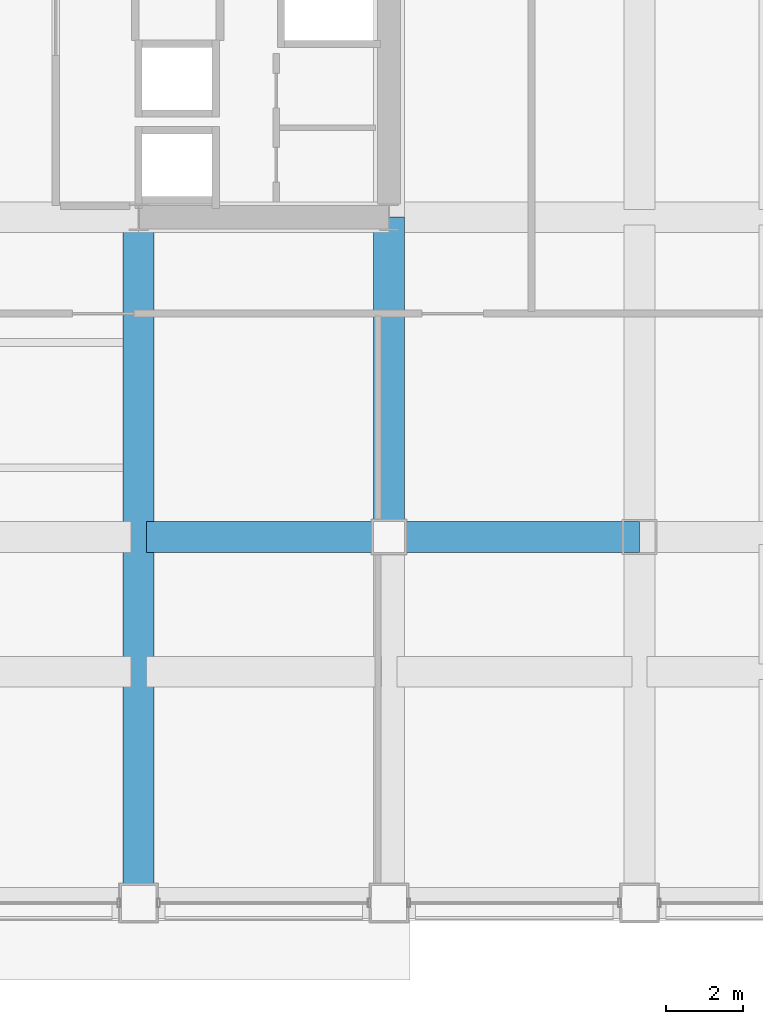
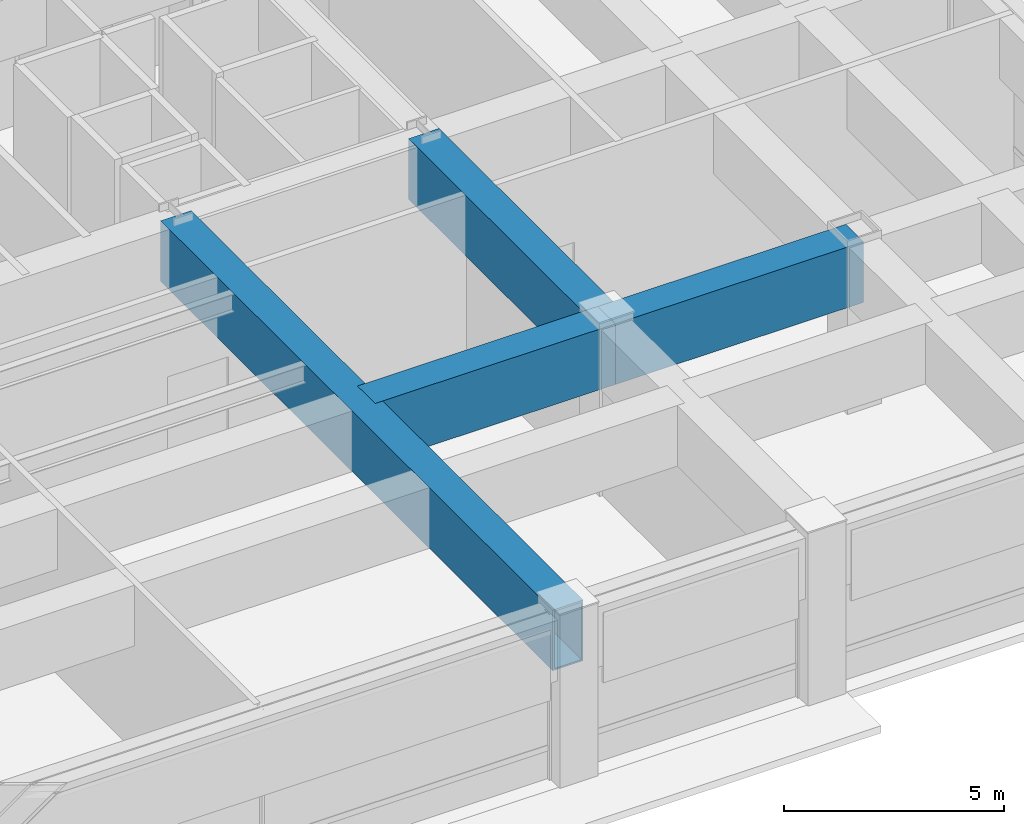
# One storey, part 10 of 30: 4 beams.
"""IFC4 building model written with IfcOpenShell, lengths in metres."""

import ifcopenshell
import ifcopenshell.guid

model = None  # the IFC model being written
_history = None  # IfcOwnerHistory: only IFC2X3 demands one
_inside = {}  # id of a spatial element -> (the spatial element, [elements in it])
_under = {}  # id of a project, library or spatial element -> (it, [spatial elements below it])
_declared = {}  # id of a project -> (the project, [libraries it declares])
_typed = {}  # id of a type object -> (the type object, [elements of that type])
_made_of = {}  # id of a material, layer set ... -> (it, [elements and type objects made of it])


def new_model(schema):
    """Start an empty IFC model of exactly this schema.

    Asked for "IFC4X3", IfcOpenShell would pick the latest addendum, in which some entities
    have other attributes; the version numbers below select the first issue.
    IFC2X3 requires an IfcOwnerHistory on every rooted entity: one is made here for all.
    """
    global model, _history
    if schema == "IFC4X3":
        model = ifcopenshell.file(schema_version=(4, 3, 0, 0))
    else:
        model = ifcopenshell.file(schema=schema)
    _inside.clear()
    _under.clear()
    _declared.clear()
    _typed.clear()
    _made_of.clear()
    _history = None
    if model.schema == "IFC2X3":
        org = make("IfcOrganization", Name="unknown")
        user = make(
            "IfcPersonAndOrganization",
            ThePerson=make("IfcPerson", FamilyName="unknown"),
            TheOrganization=org,
        )
        app = make(
            "IfcApplication",
            ApplicationDeveloper=org,
            Version="unknown",
            ApplicationFullName="unknown",
            ApplicationIdentifier="unknown",
        )
        _history = make(
            "IfcOwnerHistory",
            OwningUser=user,
            OwningApplication=app,
            ChangeAction="ADDED",
            CreationDate=0,
        )
    return model


def make(cls, **values):
    """One entity of the class cls with the attributes given. An attribute that is None is left unset."""
    return model.create_entity(
        cls, **{name: value for name, value in values.items() if value is not None}
    )


def rooted(cls, **values):
    """An entity with a GlobalId (a new one), such as an element, a storey or a relation."""
    return make(cls, GlobalId=ifcopenshell.guid.new(), OwnerHistory=_history, **values)


def si_unit(unit_type, name, prefix=None):
    """IfcSIUnit, for example si_unit("LENGTHUNIT", "METRE", prefix="MILLI")."""
    return make("IfcSIUnit", UnitType=unit_type, Prefix=prefix, Name=name)


def assignment(units):
    """IfcUnitAssignment: the units of a project."""
    return None if units is None else make("IfcUnitAssignment", Units=units)


def point(xyz):
    """IfcCartesianPoint."""
    return None if xyz is None else make("IfcCartesianPoint", Coordinates=xyz)


def direction(xyz):
    """IfcDirection."""
    return None if xyz is None else make("IfcDirection", DirectionRatios=xyz)


def frame(location, z_axis=None, x_axis=None):
    """IfcAxis2Placement3D, a coordinate frame: its origin and axes. An axis left out is left unset."""
    return make(
        "IfcAxis2Placement3D",
        Location=point(location),
        Axis=direction(z_axis),
        RefDirection=direction(x_axis),
    )


def frame_2d(location, x_axis=None):
    """IfcAxis2Placement2D, a coordinate frame in the plane: its origin and x axis."""
    return make(
        "IfcAxis2Placement2D", Location=point(location), RefDirection=direction(x_axis)
    )


def origin():
    """The frame at (0, 0, 0) with its axes left unset."""
    return frame((0.0, 0.0, 0.0))


def origin_2d():
    """The frame at (0, 0) in the plane with its x axis left unset."""
    return frame_2d((0.0, 0.0))


def place(relative_to, where):
    """IfcLocalPlacement: puts the frame where relative to a parent placement (None: the world)."""
    return make(
        "IfcLocalPlacement", PlacementRelTo=relative_to, RelativePlacement=where
    )


def context(
    kind, dimensions, precision=None, world=None, true_north=None, identifier=None
):
    """IfcGeometricRepresentationContext, for example the 3D "Model" context."""
    return make(
        "IfcGeometricRepresentationContext",
        ContextIdentifier=identifier,
        ContextType=kind,
        CoordinateSpaceDimension=dimensions,
        Precision=precision,
        WorldCoordinateSystem=world,
        TrueNorth=true_north,
    )


def subcontext(parent, identifier, kind, view, scale=None):
    """IfcGeometricRepresentationSubContext, for example "Body" below "Model"."""
    return make(
        "IfcGeometricRepresentationSubContext",
        ContextIdentifier=identifier,
        ContextType=kind,
        ParentContext=parent,
        TargetScale=scale,
        TargetView=view,
    )


def project(units=None, contexts=None):
    """IfcProject with its units and contexts."""
    return rooted(
        "IfcProject",
        Name="project",
        RepresentationContexts=contexts,
        UnitsInContext=assignment(units),
    )


def spatial(cls, under=None, at=None, **own):
    """A site, building, storey or space (cls), placed at a placement, below another one or the project."""
    s = rooted(cls, ObjectPlacement=at, **own)
    if under is not None:
        _under.setdefault(under.id(), (under, []))[1].append(s)
    return s


def profile(cls, at=None, kind="AREA", **sizes):
    """A parametric profile (cls). Its sizes go by their IFC names, for example OverallWidth=200.0."""
    return make(cls, ProfileType=kind, Position=at, **sizes)


def hollow_rectangle(**sizes):
    """IfcRectangleHollowProfileDef."""
    return profile("IfcRectangleHollowProfileDef", **sizes)


def extrude(swept, where, along, depth):
    """IfcExtrudedAreaSolid: the profile swept, set in the frame where, extruded along a direction by depth."""
    return make(
        "IfcExtrudedAreaSolid",
        SweptArea=swept,
        Position=where,
        ExtrudedDirection=direction(along),
        Depth=depth,
    )


def shape(context_of_items, identifier, shape_type, items):
    """IfcShapeRepresentation: the items that make up one representation, for example the "Body"."""
    return make(
        "IfcShapeRepresentation",
        ContextOfItems=context_of_items,
        RepresentationIdentifier=identifier,
        RepresentationType=shape_type,
        Items=items,
    )


def material(Name=None, Category=None):
    """IfcMaterial."""
    return make("IfcMaterial", Name=Name, Category=Category)


def material_profile(
    of_material, cross_section, Name=None, Category=None, Priority=None
):
    """IfcMaterialProfile: a cross section and its material."""
    return make(
        "IfcMaterialProfile",
        Name=Name,
        Material=of_material,
        Profile=cross_section,
        Priority=Priority,
        Category=Category,
    )


def profile_set(profiles, Name=None, composite=None):
    """IfcMaterialProfileSet."""
    return make(
        "IfcMaterialProfileSet",
        Name=Name,
        MaterialProfiles=profiles,
        CompositeProfile=composite,
    )


def made_of(thing, what):
    """Note that an element or type object is made of a material, layer set ...; save() writes the relation."""
    if what is not None:
        _made_of.setdefault(what.id(), (what, []))[1].append(thing)
    return thing


def type_object(cls, material=None, **own):
    """A type object (cls), such as IfcWallType, which elements share."""
    return made_of(rooted(cls, **own), material)


def element(
    cls,
    number,
    at=None,
    inside=None,
    cuts=None,
    type_object=None,
    material=None,
    context=None,
    identifier="Body",
    shape_type=None,
    held_by="IfcProductDefinitionShape",
    body=None,
    shapes=None,
    **own,
):
    """One element of the class cls, such as IfcWall. Its Tag is "e" and its number.

    at: its placement. inside: the storey or other place that contains it. cuts: it is an
    opening in that element (IfcRelVoidsElement). A single representation is given by context,
    identifier, shape_type and body (its items); several are given by shapes. held_by: the class
    of the entity that holds the representations. save() writes the other relations.
    """
    e = rooted(cls, Tag="e%d" % number, ObjectPlacement=at, **own)
    if body is not None:
        shapes = [shape(context, identifier, shape_type, body)]
    if shapes is not None:
        e.Representation = make(held_by, Representations=shapes)
    if inside is not None:
        _inside.setdefault(inside.id(), (inside, []))[1].append(e)
    if cuts is not None:
        rooted(
            "IfcRelVoidsElement", RelatingBuildingElement=cuts, RelatedOpeningElement=e
        )
    if type_object is not None:
        _typed.setdefault(type_object.id(), (type_object, []))[1].append(e)
    return made_of(e, material)


def aggregate(whole, parts):
    """IfcRelAggregates: a whole, such as a stair, and the parts it consists of."""
    return rooted("IfcRelAggregates", RelatingObject=whole, RelatedObjects=parts)


def save(model, path):
    """Write the relations noted so far, then the file.

    IfcRelAggregates (storeys below a building ...), IfcRelContainedInSpatialStructure (elements
    in a storey), IfcRelDefinesByType, IfcRelAssociatesMaterial and IfcRelDeclares: one each for
    every whole, place, type object, material and project.
    """
    for whole, parts in _under.values():
        aggregate(whole, parts)
    for where, things in _inside.values():
        rooted(
            "IfcRelContainedInSpatialStructure",
            RelatedElements=things,
            RelatingStructure=where,
        )
    for kind, things in _typed.values():
        rooted("IfcRelDefinesByType", RelatedObjects=things, RelatingType=kind)
    for what, things in _made_of.values():
        rooted("IfcRelAssociatesMaterial", RelatedObjects=things, RelatingMaterial=what)
    for by, libraries in _declared.values():
        rooted("IfcRelDeclares", RelatingContext=by, RelatedDefinitions=libraries)
    model.write(path)


model = new_model("IFC4")

# Units and contexts
model_context = context("Model", 3, precision=1e-05, world=origin(), true_north=direction((0.0, 1.0)))
body_context = subcontext(model_context, "Body", "Model", "MODEL_VIEW")
ifc_project = project(units=[si_unit("LENGTHUNIT", "METRE"), si_unit("AREAUNIT", "SQUARE_METRE"), si_unit("VOLUMEUNIT", "CUBIC_METRE"), si_unit("PLANEANGLEUNIT", "RADIAN"), si_unit("MASSUNIT", "GRAM", prefix="KILO")], contexts=[model_context])

# Site, building, storey
site_placement = place(None, origin())
site = spatial("IfcSite", under=ifc_project, at=site_placement, CompositionType="ELEMENT")
building_placement = place(site_placement, origin())
building = spatial("IfcBuilding", under=site, at=building_placement, Name="Brelmoor Portico Tower", CompositionType="ELEMENT")
storey_placement = place(building_placement, frame((0.0, 0.0, 19.199951171875)))
storey = spatial("IfcBuildingStorey", under=building, at=storey_placement, Name="L04", CompositionType="ELEMENT", Elevation=19.199951171875)

# Beams
ifc_material = material(Name="Steel Q355B", Category="steel")
ifc_material_profile = material_profile(ifc_material, hollow_rectangle(XDim=0.800048828125, YDim=1.679931640625, WallThickness=0.044921875, at=origin_2d()), Name="BOX 800x1680x45")
ifc_profile_set = profile_set([ifc_material_profile], Name="Steel Q355B")
beam_type = type_object("IfcBeamType", Name="BM-TG-Z1", PredefinedType="BEAM", material=ifc_profile_set)
beam_1_placement = place(storey_placement, frame((8.050048828125, -27.550048828125, 3.760009765625), z_axis=(0.0, 1.0, 0.0), x_axis=(-1.0, 0.0, 0.0)))
element("IfcBeam", 1, at=beam_1_placement, inside=storey, type_object=beam_type, Name="L04 Setback Transfer Girder PG-11", PredefinedType="BEAM", context=body_context, shape_type="SweptSolid", body=[
    extrude(hollow_rectangle(XDim=0.800048828125, YDim=1.679931640625, WallThickness=0.044921875, at=origin_2d()), origin(), (0.0, 0.0, 1.0), 17.800048828125),
])
beam_2_placement = place(storey_placement, frame((14.550048828125, -18.050048828125, 3.760009765625), z_axis=(0.0, 1.0, 0.0), x_axis=(-1.0, 0.0, 0.0)))
element("IfcBeam", 2, at=beam_2_placement, inside=storey, type_object=beam_type, Name="L04 Setback Transfer Girder PG-14", PredefinedType="BEAM", context=body_context, shape_type="SweptSolid", body=[
    extrude(hollow_rectangle(XDim=0.800048828125, YDim=1.679931640625, WallThickness=0.044921875, at=origin_2d()), origin(), (0.0, 0.0, 1.0), 8.300048828125),
])
beam_3_placement = place(storey_placement, frame((14.550048828125, -18.050048828125, 3.760009765625), z_axis=(1.0, 0.0, 0.0), x_axis=(0.0, 1.0, 0.0)))
element("IfcBeam", 3, at=beam_3_placement, inside=storey, type_object=beam_type, Name="L04 Setback Transfer Girder PG-23", PredefinedType="BEAM", context=body_context, shape_type="SweptSolid", body=[
    extrude(hollow_rectangle(XDim=0.800048828125, YDim=1.679931640625, WallThickness=0.044921875, at=origin_2d()), origin(), (0.0, 0.0, 1.0), 6.5),
])
beam_4_placement = place(storey_placement, frame((8.25, -18.050048828125, 3.760009765625), z_axis=(1.0, 0.0, 0.0), x_axis=(0.0, 1.0, 0.0)))
element("IfcBeam", 4, at=beam_4_placement, inside=storey, type_object=beam_type, Name="L04 Setback Transfer Girder TGN-17", PredefinedType="BEAM", context=body_context, shape_type="SweptSolid", body=[
    extrude(hollow_rectangle(XDim=0.800048828125, YDim=1.679931640625, WallThickness=0.044921875, at=origin_2d()), origin(), (0.0, 0.0, 1.0), 6.300048828125),
])

save(model, "model.ifc")
